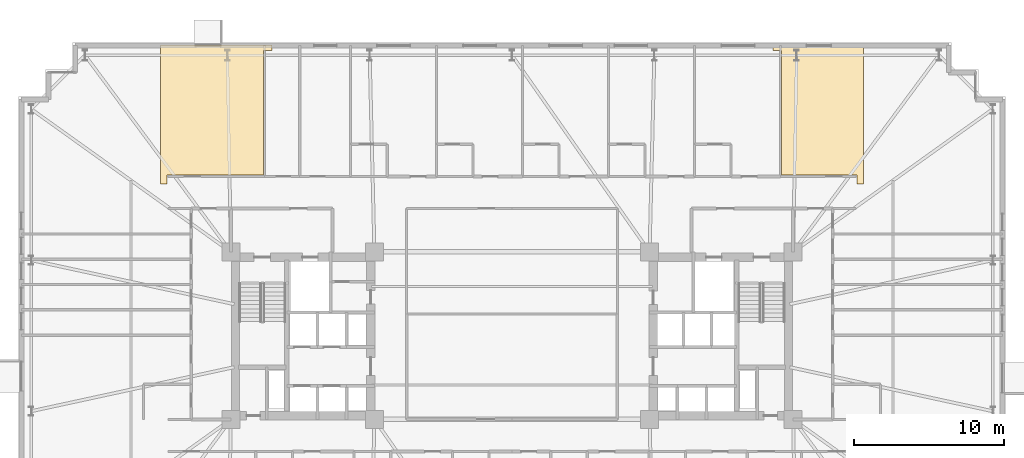
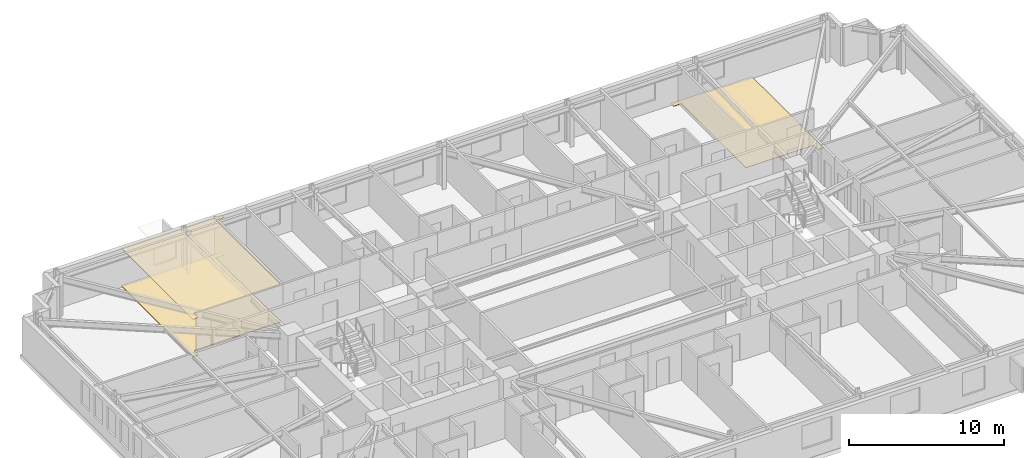
# One storey, part 22 of 22: 3 coverings.
"""IFC4 building model written with IfcOpenShell, lengths in metres."""

from ifc_helpers import new_model, si_unit, direction, frame, origin, place, context, subcontext, project, spatial, polyline, outline, extrude, material, layer, layer_set, type_object, element, save


model = new_model("IFC4")

# Units and contexts
model_context = context("Model", 3, precision=1e-05, world=origin(), true_north=direction((0.0, 1.0)))
body_context = subcontext(model_context, "Body", "Model", "MODEL_VIEW")
ifc_project = project(units=[si_unit("LENGTHUNIT", "METRE"), si_unit("AREAUNIT", "SQUARE_METRE"), si_unit("VOLUMEUNIT", "CUBIC_METRE"), si_unit("PLANEANGLEUNIT", "RADIAN"), si_unit("MASSUNIT", "GRAM", prefix="KILO")], contexts=[model_context])

# Site, building, storey
site_placement = place(None, origin())
site = spatial("IfcSite", under=ifc_project, at=site_placement, CompositionType="ELEMENT")
building_placement = place(site_placement, origin())
building = spatial("IfcBuilding", under=site, at=building_placement, Name="Qobustan Lattice House", CompositionType="ELEMENT")
storey_placement = place(building_placement, frame((0.0, 0.0, 60.5)))
storey = spatial("IfcBuildingStorey", under=building, at=storey_placement, Name="L16", CompositionType="ELEMENT", Elevation=60.5)

# Coverings
ifc_material_1 = material(Name="Perforated gypsum acoustic ceiling", Category="gypsum")
ifc_layer_1 = layer(ifc_material_1, 0.030029296875)
ifc_layer_set_1 = layer_set([ifc_layer_1], Name="Perforated gypsum acoustic ceiling")
covering_type_1 = type_object("IfcCoveringType", Name="COV-ACOUSTIC-CEIL", PredefinedType="CEILING", material=ifc_layer_set_1)
covering_1_placement = place(storey_placement, frame((0.0, 0.0, 2.945068359375)))
element("IfcCovering", 1, at=covering_1_placement, inside=storey, type_object=covering_type_1, Name="L16 Focus study room N1 acoustic ceiling", PredefinedType="CEILING", context=body_context, shape_type="SweptSolid", body=[
    extrude(outline(polyline([(-16.050048828125, 19.429931640625), (-23.5, 19.429931640625), (-23.5, 10.14990234375), (-23.080078125, 10.14990234375), (-23.080078125, 10.72998046875), (-16.6298828125, 10.72998046875), (-16.6298828125, 19.06005859375), (-16.050048828125, 19.06005859375), (-16.050048828125, 19.429931640625)])), origin(), (0.0, 0.0, 1.0), 0.030029296875),
])
ifc_material_2 = material(Name="Honed Absheron stone terrazzo flooring", Category="masonry")
ifc_layer_2 = layer(ifc_material_2, 0.02490234375)
ifc_layer_set_2 = layer_set([ifc_layer_2], Name="Honed Absheron stone terrazzo flooring")
covering_type_2 = type_object("IfcCoveringType", Name="COV-TERRAZZO-FLR", PredefinedType="FLOORING", material=ifc_layer_set_2)
covering_2_placement = place(storey_placement, origin())
element("IfcCovering", 2, at=covering_2_placement, inside=storey, type_object=covering_type_2, Name="L16 Focus study room N1 stone terrazzo flooring", PredefinedType="FLOORING", context=body_context, shape_type="SweptSolid", body=[
    extrude(outline(polyline([(-16.050048828125, 19.429931640625), (-23.5, 19.429931640625), (-23.5, 10.14990234375), (-23.080078125, 10.14990234375), (-23.080078125, 10.72998046875), (-16.6298828125, 10.72998046875), (-16.6298828125, 19.06005859375), (-16.050048828125, 19.06005859375), (-16.050048828125, 19.429931640625)])), origin(), (0.0, 0.0, 1.0), 0.02490234375),
])
covering_3_placement = place(storey_placement, origin())
element("IfcCovering", 3, at=covering_3_placement, inside=storey, type_object=covering_type_2, Name="L16 Focus study room N8 stone terrazzo flooring", PredefinedType="FLOORING", context=body_context, shape_type="SweptSolid", body=[
    extrude(outline(polyline([(17.449951171875, 19.429931640625), (17.449951171875, 19.06005859375), (18.030029296875, 19.06005859375), (18.030029296875, 10.72998046875), (23.080078125, 10.72998046875), (23.080078125, 10.14990234375), (23.5, 10.14990234375), (23.5, 19.429931640625), (17.449951171875, 19.429931640625)])), origin(), (0.0, 0.0, 1.0), 0.02490234375),
])

save(model, "model.ifc")
